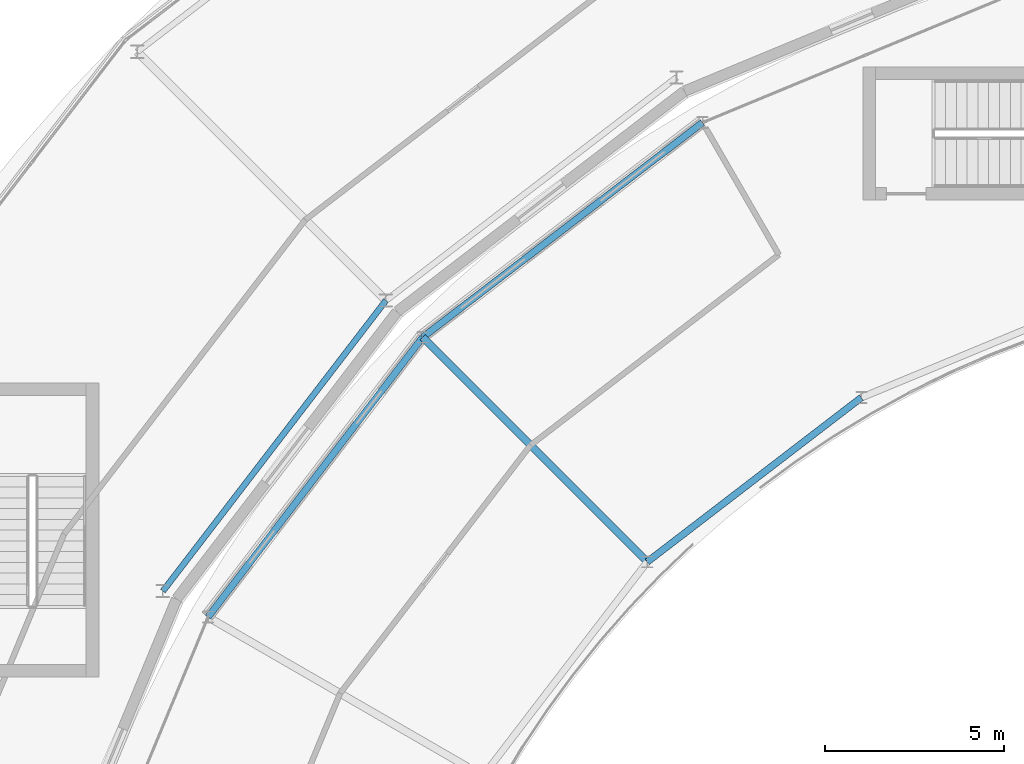
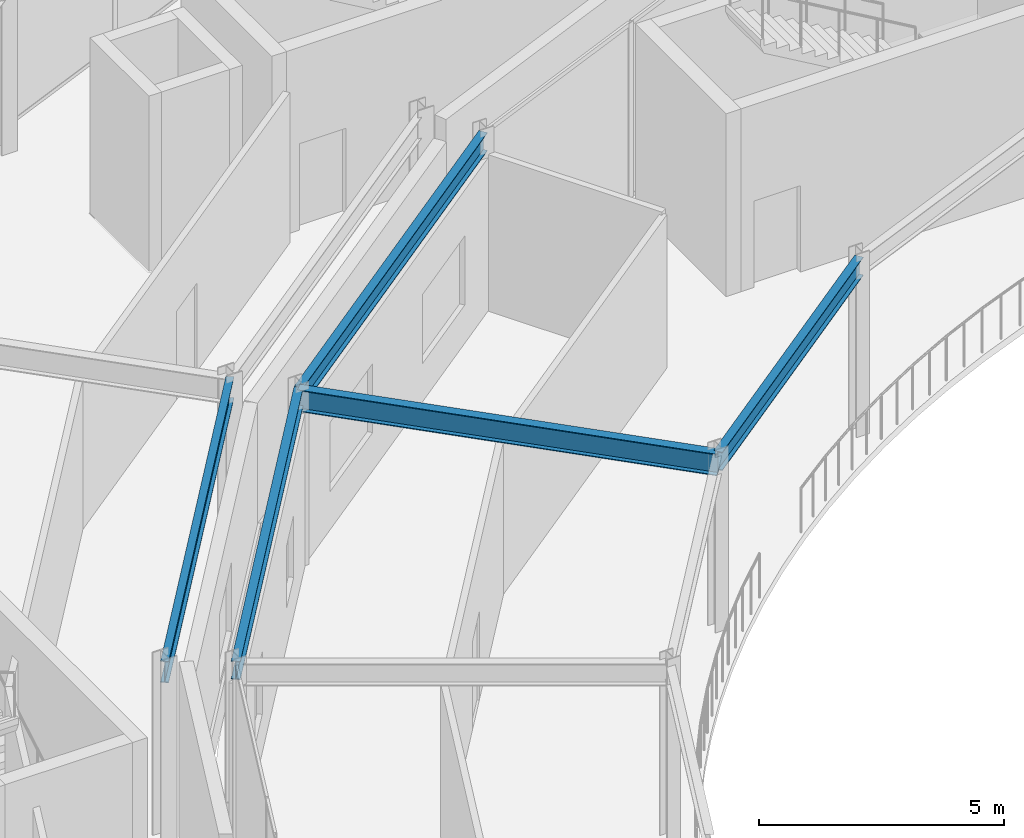
# One storey, part 62 of 157: 5 beams.
"""IFC4 building model written with IfcOpenShell, lengths in metres."""

from ifc_helpers import new_model, si_unit, direction, frame, origin, origin_2d, place, context, subcontext, project, spatial, i_section, extrude, material, material_profile, profile_set, type_object, element, save


model = new_model("IFC4")

# Units and contexts
model_context = context("Model", 3, precision=1e-05, world=origin(), true_north=direction((0.0, 1.0)))
body_context = subcontext(model_context, "Body", "Model", "MODEL_VIEW")
ifc_project = project(units=[si_unit("LENGTHUNIT", "METRE"), si_unit("AREAUNIT", "SQUARE_METRE"), si_unit("VOLUMEUNIT", "CUBIC_METRE"), si_unit("PLANEANGLEUNIT", "RADIAN"), si_unit("MASSUNIT", "GRAM", prefix="KILO")], contexts=[model_context])

# Site, building, storey
site_placement = place(None, origin())
site = spatial("IfcSite", under=ifc_project, at=site_placement, CompositionType="ELEMENT")
building_placement = place(site_placement, origin())
building = spatial("IfcBuilding", under=site, at=building_placement, Name="Almandine Court Research Institute", CompositionType="ELEMENT")
storey_placement = place(building_placement, frame((0.0, 0.0, 5.25)))
storey = spatial("IfcBuildingStorey", under=building, at=storey_placement, Name="L01", CompositionType="ELEMENT", Elevation=5.25)

# Beams
ifc_material = material(Name="Steel ASTM A992 Grade 50", Category="steel")
ifc_material_profile_1 = material_profile(ifc_material, i_section(OverallWidth=0.18994140625, OverallDepth=0.45703125, WebThickness=0.009033203125, FlangeThickness=0.014892578125, at=origin_2d()), Name="W460x74")
ifc_profile_set_1 = profile_set([ifc_material_profile_1], Name="Steel ASTM A992 Grade 50")
beam_type_1 = type_object("IfcBeamType", Name="Beam-B-01", PredefinedType="BEAM", material=ifc_profile_set_1)
beam_1_placement = place(storey_placement, frame((68.175048828125, 88.60595703125, 4.14111328125), z_axis=(-0.793391623282, -0.608711534396, 0.0), x_axis=(0.608711534396, -0.793391623282, 0.0)))
element("IfcBeam", 1, at=beam_1_placement, inside=storey, type_object=beam_type_1, Name="L01 Atrium Outer Ring Beam", PredefinedType="BEAM", context=body_context, shape_type="SweptSolid", body=[
    extrude(i_section(OverallWidth=0.18994140625, OverallDepth=0.45703125, WebThickness=0.009033203125, FlangeThickness=0.014892578125, at=origin_2d()), origin(), (0.0, 0.0, 1.0), 9.828857421875),
])
beam_2_placement = place(storey_placement, frame((72.60009765625, 80.94189453125, 4.14111328125), z_axis=(-0.793370595297, -0.608738941187, 0.0), x_axis=(0.608738941187, -0.793370595297, 0.0)))
element("IfcBeam", 2, at=beam_2_placement, inside=storey, type_object=beam_type_1, Name="L01 Atrium Gallery Edge Beam", PredefinedType="BEAM", context=body_context, shape_type="SweptSolid", body=[
    extrude(i_section(OverallWidth=0.18994140625, OverallDepth=0.45703125, WebThickness=0.009033203125, FlangeThickness=0.014892578125, at=origin_2d()), origin(), (0.0, 0.0, 1.0), 7.5185546875),
])
beam_3_placement = place(storey_placement, frame((60.376953125, 82.623046875, 4.14111328125), z_axis=(-0.608711534396, -0.793391623282, 0.0), x_axis=(0.793391623282, -0.608711534396, 0.0)))
element("IfcBeam", 3, at=beam_3_placement, inside=storey, type_object=beam_type_1, Name="L01 Atrium Outer Ring Beam", PredefinedType="BEAM", context=body_context, shape_type="SweptSolid", body=[
    extrude(i_section(OverallWidth=0.18994140625, OverallDepth=0.45703125, WebThickness=0.009033203125, FlangeThickness=0.014892578125, at=origin_2d()), origin(), (0.0, 0.0, 1.0), 9.828857421875),
])
ifc_material_profile_2 = material_profile(ifc_material, i_section(OverallWidth=0.2109375, OverallDepth=0.5390625, WebThickness=0.011962890625, FlangeThickness=0.01904296875, at=origin_2d()), Name="W530x109")
ifc_profile_set_2 = profile_set([ifc_material_profile_2], Name="Steel ASTM A992 Grade 50")
beam_type_2 = type_object("IfcBeamType", Name="Beam-G-04", PredefinedType="BEAM", material=ifc_profile_set_2)
beam_4_placement = place(storey_placement, frame((66.635009765625, 76.364990234375, 4.10009765625), z_axis=(-0.707106781187, 0.707106781187, 0.0), x_axis=(-0.707106781187, -0.707106781187, 0.0)))
element("IfcBeam", 4, at=beam_4_placement, inside=storey, type_object=beam_type_2, Name="L01 Atrium Gallery Radial Girder", PredefinedType="BEAM", context=body_context, shape_type="SweptSolid", body=[
    extrude(i_section(OverallWidth=0.2109375, OverallDepth=0.5390625, WebThickness=0.011962890625, FlangeThickness=0.01904296875, at=origin_2d()), origin(), (0.0, 0.0, 1.0), 8.850341796875),
])
ifc_material_profile_3 = material_profile(ifc_material, i_section(OverallWidth=0.166015625, OverallDepth=0.534912109375, WebThickness=0.010009765625, FlangeThickness=0.01708984375, at=origin_2d()), Name="W530x85")
ifc_profile_set_3 = profile_set([ifc_material_profile_3], Name="Steel ASTM A992 Grade 50")
beam_type_3 = type_object("IfcBeamType", Name="Beam-G-05-E", PredefinedType="SPANDREL", material=ifc_profile_set_3)
beam_5_placement = place(storey_placement, frame((59.35205078125, 83.64794921875, 4.10205078125), z_axis=(-0.608784478787, -0.793335653042, 0.0), x_axis=(0.793335653042, -0.608784478787, 0.0)))
element("IfcBeam", 5, at=beam_5_placement, inside=storey, type_object=beam_type_3, Name="L01 Drum IN Ring Beam 09", PredefinedType="SPANDREL", context=body_context, shape_type="SweptSolid", body=[
    extrude(i_section(OverallWidth=0.166015625, OverallDepth=0.534912109375, WebThickness=0.010009765625, FlangeThickness=0.01708984375, at=origin_2d()), origin(), (0.0, 0.0, 1.0), 10.20751953125),
])

save(model, "model.ifc")
